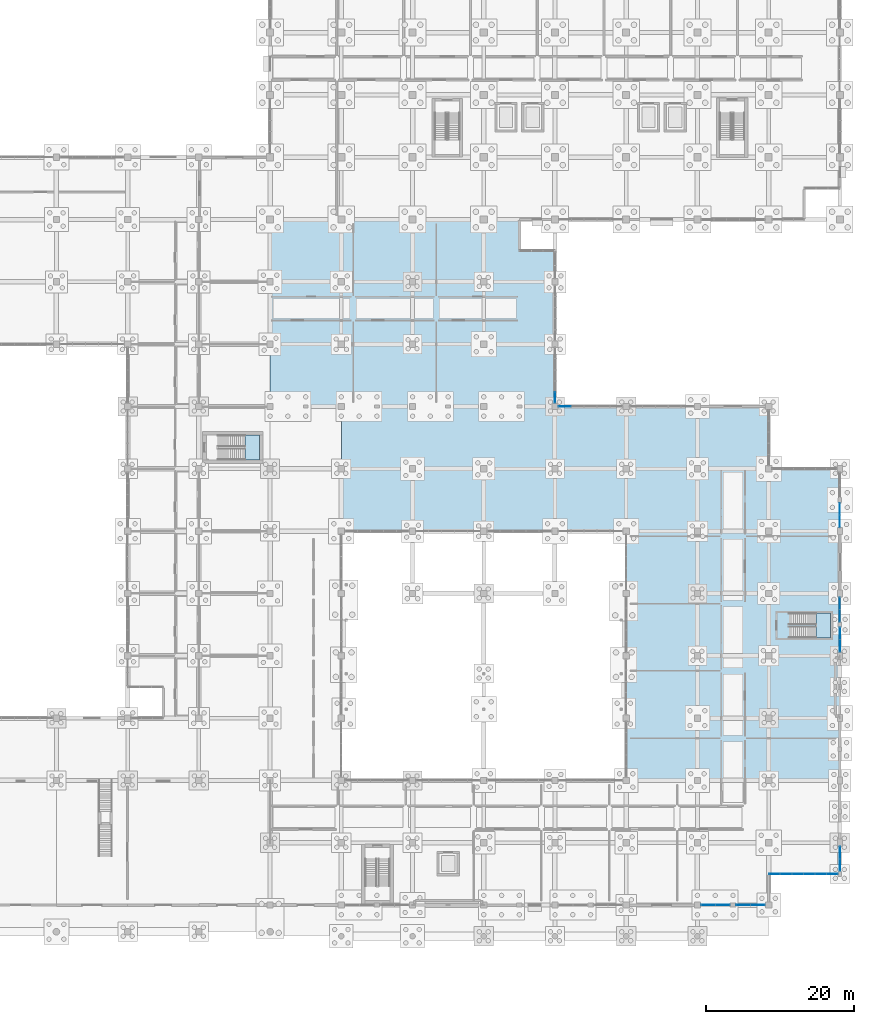
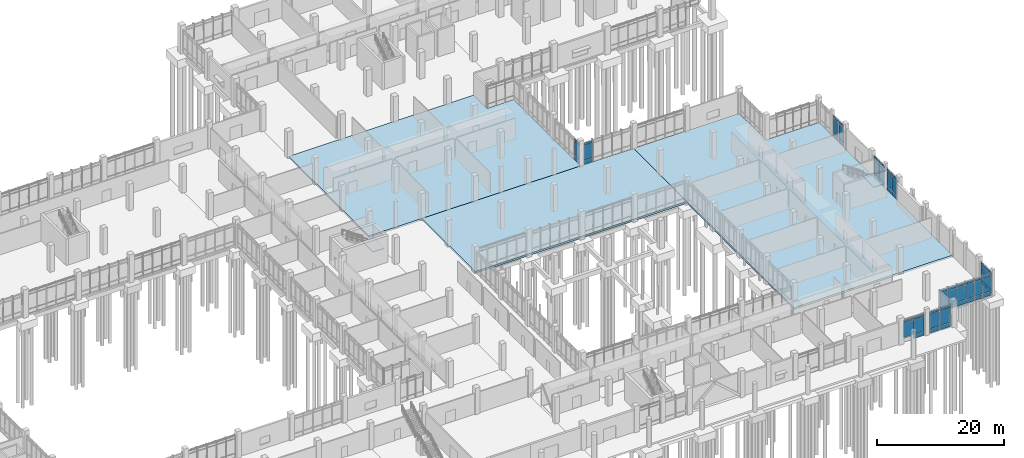
# One storey, part 86 of 136: 59 plates, 5 slabs, 11 elements without a shape of their own.
"""IFC4 building model written with IfcOpenShell, lengths in metres."""

from ifc_helpers import new_model, si_unit, direction, frame, origin, origin_2d, place, context, subcontext, project, spatial, polyline, rectangle, outline, extrude, material, layer, layer_set, type_object, element, aggregate, save


model = new_model("IFC4")

# Units and contexts
model_context = context("Model", 3, precision=1e-05, world=origin(), true_north=direction((0.0, 1.0)))
body_context = subcontext(model_context, "Body", "Model", "MODEL_VIEW")
ifc_project = project(units=[si_unit("LENGTHUNIT", "METRE"), si_unit("AREAUNIT", "SQUARE_METRE"), si_unit("VOLUMEUNIT", "CUBIC_METRE"), si_unit("PLANEANGLEUNIT", "RADIAN"), si_unit("MASSUNIT", "GRAM", prefix="KILO")], contexts=[model_context])

# Site, building, storey
site_placement = place(None, origin())
site = spatial("IfcSite", under=ifc_project, at=site_placement, CompositionType="ELEMENT")
building_placement = place(site_placement, origin())
building = spatial("IfcBuilding", under=site, at=building_placement, Name="Oolite Switchyard Hospital", CompositionType="ELEMENT")
storey_placement = place(building_placement, origin())
storey = spatial("IfcBuildingStorey", under=building, at=storey_placement, Name="L00", CompositionType="ELEMENT", Elevation=0.0)

# Curtain wall, plates
ifc_material_1 = material(Name="Thermally broken aluminum frame with laminated impact glazing", Category="aluminium")
curtain_wall_type_1 = type_object("IfcCurtainWallType", Name="CW-UNIT-84X51", PredefinedType="USERDEFINED", material=ifc_material_1)
curtain_wall_1_placement = place(storey_placement, origin())
curtain_wall_1 = element("IfcCurtainWall", 1, at=curtain_wall_1_placement, inside=storey, type_object=curtain_wall_type_1, Name="L00 Unitised Curtain Wall 8", ObjectType="UNITISED", PredefinedType="USERDEFINED")
ifc_material_2 = material(Name="Insulated fluoropolymer-coated aluminum spandrel panel", Category="aluminium")
ifc_layer_1 = layer(ifc_material_2, 0.054931640625)
ifc_layer_set_1 = layer_set([ifc_layer_1], Name="CW-PNL-SPN55")
plate_type_1 = type_object("IfcPlateType", Name="CW-PNL-SPN55", PredefinedType="CURTAIN_PANEL", material=ifc_layer_set_1)
plate_1_placement = place(storey_placement, frame((195.398681640625, 8.39990234375, 0.06005859375), z_axis=(0.0, 0.0, 1.0), x_axis=(-1.0, 0.0, 0.0)))
plate_1 = element("IfcPlate", 2, at=plate_1_placement, type_object=plate_type_1, Name="CW-06 panel 1.1", PredefinedType="CURTAIN_PANEL", context=body_context, shape_type="SweptSolid", body=[
    extrude(rectangle(XDim=1.87255859375, YDim=0.054931640625, at=origin_2d()), origin(), (0.0, 0.0, 1.0), 0.760009765625),
])
plate_2_placement = place(storey_placement, frame((195.398681640625, 8.39990234375, 0.8798828125), z_axis=(0.0, 0.0, 1.0), x_axis=(-1.0, 0.0, 0.0)))
plate_2 = element("IfcPlate", 3, at=plate_2_placement, type_object=plate_type_1, Name="CW-06 panel 1.2", PredefinedType="CURTAIN_PANEL", context=body_context, shape_type="SweptSolid", body=[
    extrude(rectangle(XDim=1.87255859375, YDim=0.054931640625, at=origin_2d()), origin(), (0.0, 0.0, 1.0), 2.780029296875),
])
plate_3_placement = place(storey_placement, frame((195.398681640625, 8.39990234375, 3.719970703125), z_axis=(0.0, 0.0, 1.0), x_axis=(-1.0, 0.0, 0.0)))
plate_3 = element("IfcPlate", 4, at=plate_3_placement, type_object=plate_type_1, Name="CW-06 panel 1.3", PredefinedType="CURTAIN_PANEL", context=body_context, shape_type="SweptSolid", body=[
    extrude(rectangle(XDim=1.87255859375, YDim=0.054931640625, at=origin_2d()), origin(), (0.0, 0.0, 1.0), 0.4599609375),
])
plate_4_placement = place(storey_placement, frame((193.451171875, 8.39990234375, 0.8798828125), z_axis=(0.0, 0.0, 1.0), x_axis=(-1.0, 0.0, 0.0)))
plate_4 = element("IfcPlate", 5, at=plate_4_placement, type_object=plate_type_1, Name="CW-06 panel 2.2", PredefinedType="CURTAIN_PANEL", context=body_context, shape_type="SweptSolid", body=[
    extrude(rectangle(XDim=1.87255859375, YDim=0.054931640625, at=origin_2d()), origin(), (0.0, 0.0, 1.0), 2.780029296875),
])
plate_5_placement = place(storey_placement, frame((193.451171875, 8.39990234375, 3.719970703125), z_axis=(0.0, 0.0, 1.0), x_axis=(-1.0, 0.0, 0.0)))
plate_5 = element("IfcPlate", 6, at=plate_5_placement, type_object=plate_type_1, Name="CW-06 panel 2.3", PredefinedType="CURTAIN_PANEL", context=body_context, shape_type="SweptSolid", body=[
    extrude(rectangle(XDim=1.87255859375, YDim=0.054931640625, at=origin_2d()), origin(), (0.0, 0.0, 1.0), 0.4599609375),
])
aggregate(curtain_wall_1, [plate_1, plate_2, plate_3, plate_4, plate_5])

curtain_wall_type_2 = type_object("IfcCurtainWallType", Name="CW-UNIT-96X51", PredefinedType="USERDEFINED", material=ifc_material_1)
curtain_wall_2_placement = place(storey_placement, origin())
curtain_wall_2 = element("IfcCurtainWall", 7, at=curtain_wall_2_placement, inside=storey, type_object=curtain_wall_type_2, Name="L00 Unitised Curtain Wall 25", ObjectType="UNITISED", PredefinedType="USERDEFINED")
plate_6_placement = place(storey_placement, frame((174.12939453125, 75.60009765625, 0.0751953125), z_axis=(0.0, 0.0, 1.0), x_axis=(1.0, 0.0, 0.0)))
plate_6 = element("IfcPlate", 8, at=plate_6_placement, type_object=plate_type_1, Name="CW-01 panel 1.1", PredefinedType="CURTAIN_PANEL", context=body_context, shape_type="SweptSolid", body=[
    extrude(rectangle(XDim=1.638916015625, YDim=0.054931640625, at=origin_2d()), origin(), (0.0, 0.0, 1.0), 0.737548828125),
])
plate_7_placement = place(storey_placement, frame((174.12939453125, 75.60009765625, 0.8876953125), z_axis=(0.0, 0.0, 1.0), x_axis=(1.0, 0.0, 0.0)))
plate_7 = element("IfcPlate", 9, at=plate_7_placement, type_object=plate_type_1, Name="CW-01 panel 1.2", PredefinedType="CURTAIN_PANEL", context=body_context, shape_type="SweptSolid", body=[
    extrude(rectangle(XDim=1.638916015625, YDim=0.054931640625, at=origin_2d()), origin(), (0.0, 0.0, 1.0), 2.764892578125),
])
plate_8_placement = place(storey_placement, frame((174.12939453125, 75.60009765625, 3.7275390625), z_axis=(0.0, 0.0, 1.0), x_axis=(1.0, 0.0, 0.0)))
plate_8 = element("IfcPlate", 10, at=plate_8_placement, type_object=plate_type_1, Name="CW-01 panel 1.3", PredefinedType="CURTAIN_PANEL", context=body_context, shape_type="SweptSolid", body=[
    extrude(rectangle(XDim=1.638916015625, YDim=0.054931640625, at=origin_2d()), origin(), (0.0, 0.0, 1.0), 0.4375),
])
aggregate(curtain_wall_2, [plate_6, plate_7, plate_8])

curtain_wall_3_placement = place(storey_placement, origin())
curtain_wall_3 = element("IfcCurtainWall", 11, at=curtain_wall_3_placement, inside=storey, type_object=curtain_wall_type_2, Name="L00 Unitised Curtain Wall 9", ObjectType="UNITISED", PredefinedType="USERDEFINED")
ifc_material_3 = material(Name="Laminated hurricane-impact insulated glazing unit", Category="glass")
ifc_layer_2 = layer(ifc_material_3, 0.028076171875)
ifc_layer_set_2 = layer_set([ifc_layer_2], Name="CW-PNL-VIS28")
plate_type_2 = type_object("IfcPlateType", Name="CW-PNL-VIS28", PredefinedType="CURTAIN_PANEL", material=ifc_layer_set_2)
plate_9_placement = place(storey_placement, frame((210.1650390625, 12.60009765625, 0.0751953125), z_axis=(0.0, 0.0, 1.0), x_axis=(-1.0, 0.0, 0.0)))
plate_9 = element("IfcPlate", 12, at=plate_9_placement, type_object=plate_type_2, Name="CW-01 panel 1.1", PredefinedType="CURTAIN_PANEL", context=body_context, shape_type="SweptSolid", body=[
    extrude(rectangle(XDim=1.469970703125, YDim=0.028076171875, at=origin_2d()), origin(), (0.0, 0.0, 1.0), 0.737548828125),
])
plate_10_placement = place(storey_placement, frame((210.1650390625, 12.60009765625, 0.8876953125), z_axis=(0.0, 0.0, 1.0), x_axis=(-1.0, 0.0, 0.0)))
plate_10 = element("IfcPlate", 13, at=plate_10_placement, type_object=plate_type_2, Name="CW-01 panel 1.2", PredefinedType="CURTAIN_PANEL", context=body_context, shape_type="SweptSolid", body=[
    extrude(rectangle(XDim=1.469970703125, YDim=0.028076171875, at=origin_2d()), origin(), (0.0, 0.0, 1.0), 2.764892578125),
])
plate_11_placement = place(storey_placement, frame((210.1650390625, 12.60009765625, 3.7275390625), z_axis=(0.0, 0.0, 1.0), x_axis=(-1.0, 0.0, 0.0)))
plate_11 = element("IfcPlate", 14, at=plate_11_placement, type_object=plate_type_2, Name="CW-01 panel 1.3", PredefinedType="CURTAIN_PANEL", context=body_context, shape_type="SweptSolid", body=[
    extrude(rectangle(XDim=1.469970703125, YDim=0.028076171875, at=origin_2d()), origin(), (0.0, 0.0, 1.0), 0.4375),
])
plate_12_placement = place(storey_placement, frame((208.6201171875, 12.60009765625, 0.0751953125), z_axis=(0.0, 0.0, 1.0), x_axis=(-1.0, 0.0, 0.0)))
plate_12 = element("IfcPlate", 15, at=plate_12_placement, type_object=plate_type_2, Name="CW-01 panel 2.1", PredefinedType="CURTAIN_PANEL", context=body_context, shape_type="SweptSolid", body=[
    extrude(rectangle(XDim=1.5, YDim=0.028076171875, at=origin_2d()), origin(), (0.0, 0.0, 1.0), 0.737548828125),
])
plate_13_placement = place(storey_placement, frame((208.6201171875, 12.60009765625, 0.8876953125), z_axis=(0.0, 0.0, 1.0), x_axis=(-1.0, 0.0, 0.0)))
plate_13 = element("IfcPlate", 16, at=plate_13_placement, type_object=plate_type_2, Name="CW-01 panel 2.2", PredefinedType="CURTAIN_PANEL", context=body_context, shape_type="SweptSolid", body=[
    extrude(rectangle(XDim=1.5, YDim=0.028076171875, at=origin_2d()), origin(), (0.0, 0.0, 1.0), 2.764892578125),
])
plate_14_placement = place(storey_placement, frame((208.6201171875, 12.60009765625, 3.7275390625), z_axis=(0.0, 0.0, 1.0), x_axis=(-1.0, 0.0, 0.0)))
plate_14 = element("IfcPlate", 17, at=plate_14_placement, type_object=plate_type_2, Name="CW-01 panel 2.3", PredefinedType="CURTAIN_PANEL", context=body_context, shape_type="SweptSolid", body=[
    extrude(rectangle(XDim=1.5, YDim=0.028076171875, at=origin_2d()), origin(), (0.0, 0.0, 1.0), 0.4375),
])
plate_15_placement = place(storey_placement, frame((207.06005859375, 12.60009765625, 0.0751953125), z_axis=(0.0, 0.0, 1.0), x_axis=(-1.0, 0.0, 0.0)))
plate_15 = element("IfcPlate", 18, at=plate_15_placement, type_object=plate_type_2, Name="CW-01 panel 3.1", PredefinedType="CURTAIN_PANEL", context=body_context, shape_type="SweptSolid", body=[
    extrude(rectangle(XDim=1.5, YDim=0.028076171875, at=origin_2d()), origin(), (0.0, 0.0, 1.0), 0.737548828125),
])
plate_16_placement = place(storey_placement, frame((207.06005859375, 12.60009765625, 0.8876953125), z_axis=(0.0, 0.0, 1.0), x_axis=(-1.0, 0.0, 0.0)))
plate_16 = element("IfcPlate", 19, at=plate_16_placement, type_object=plate_type_2, Name="CW-01 panel 3.2", PredefinedType="CURTAIN_PANEL", context=body_context, shape_type="SweptSolid", body=[
    extrude(rectangle(XDim=1.5, YDim=0.028076171875, at=origin_2d()), origin(), (0.0, 0.0, 1.0), 2.764892578125),
])
plate_17_placement = place(storey_placement, frame((207.06005859375, 12.60009765625, 3.7275390625), z_axis=(0.0, 0.0, 1.0), x_axis=(-1.0, 0.0, 0.0)))
plate_17 = element("IfcPlate", 20, at=plate_17_placement, type_object=plate_type_2, Name="CW-01 panel 3.3", PredefinedType="CURTAIN_PANEL", context=body_context, shape_type="SweptSolid", body=[
    extrude(rectangle(XDim=1.5, YDim=0.028076171875, at=origin_2d()), origin(), (0.0, 0.0, 1.0), 0.4375),
])
plate_18_placement = place(storey_placement, frame((205.5, 12.60009765625, 0.0751953125), z_axis=(0.0, 0.0, 1.0), x_axis=(-1.0, 0.0, 0.0)))
plate_18 = element("IfcPlate", 21, at=plate_18_placement, type_object=plate_type_2, Name="CW-01 panel 4.1", PredefinedType="CURTAIN_PANEL", context=body_context, shape_type="SweptSolid", body=[
    extrude(rectangle(XDim=1.5, YDim=0.028076171875, at=origin_2d()), origin(), (0.0, 0.0, 1.0), 0.737548828125),
])
plate_19_placement = place(storey_placement, frame((205.5, 12.60009765625, 0.8876953125), z_axis=(0.0, 0.0, 1.0), x_axis=(-1.0, 0.0, 0.0)))
plate_19 = element("IfcPlate", 22, at=plate_19_placement, type_object=plate_type_2, Name="CW-01 panel 4.2", PredefinedType="CURTAIN_PANEL", context=body_context, shape_type="SweptSolid", body=[
    extrude(rectangle(XDim=1.5, YDim=0.028076171875, at=origin_2d()), origin(), (0.0, 0.0, 1.0), 2.764892578125),
])
plate_20_placement = place(storey_placement, frame((205.5, 12.60009765625, 3.7275390625), z_axis=(0.0, 0.0, 1.0), x_axis=(-1.0, 0.0, 0.0)))
plate_20 = element("IfcPlate", 23, at=plate_20_placement, type_object=plate_type_2, Name="CW-01 panel 4.3", PredefinedType="CURTAIN_PANEL", context=body_context, shape_type="SweptSolid", body=[
    extrude(rectangle(XDim=1.5, YDim=0.028076171875, at=origin_2d()), origin(), (0.0, 0.0, 1.0), 0.4375),
])
plate_21_placement = place(storey_placement, frame((203.93994140625, 12.60009765625, 0.0751953125), z_axis=(0.0, 0.0, 1.0), x_axis=(-1.0, 0.0, 0.0)))
plate_21 = element("IfcPlate", 24, at=plate_21_placement, type_object=plate_type_2, Name="CW-01 panel 5.1", PredefinedType="CURTAIN_PANEL", context=body_context, shape_type="SweptSolid", body=[
    extrude(rectangle(XDim=1.5, YDim=0.028076171875, at=origin_2d()), origin(), (0.0, 0.0, 1.0), 0.737548828125),
])
plate_22_placement = place(storey_placement, frame((203.93994140625, 12.60009765625, 0.8876953125), z_axis=(0.0, 0.0, 1.0), x_axis=(-1.0, 0.0, 0.0)))
plate_22 = element("IfcPlate", 25, at=plate_22_placement, type_object=plate_type_2, Name="CW-01 panel 5.2", PredefinedType="CURTAIN_PANEL", context=body_context, shape_type="SweptSolid", body=[
    extrude(rectangle(XDim=1.5, YDim=0.028076171875, at=origin_2d()), origin(), (0.0, 0.0, 1.0), 2.764892578125),
])
plate_23_placement = place(storey_placement, frame((203.93994140625, 12.60009765625, 3.7275390625), z_axis=(0.0, 0.0, 1.0), x_axis=(-1.0, 0.0, 0.0)))
plate_23 = element("IfcPlate", 26, at=plate_23_placement, type_object=plate_type_2, Name="CW-01 panel 5.3", PredefinedType="CURTAIN_PANEL", context=body_context, shape_type="SweptSolid", body=[
    extrude(rectangle(XDim=1.5, YDim=0.028076171875, at=origin_2d()), origin(), (0.0, 0.0, 1.0), 0.4375),
])
plate_24_placement = place(storey_placement, frame((202.39501953125, 12.60009765625, 0.0751953125), z_axis=(0.0, 0.0, 1.0), x_axis=(-1.0, 0.0, 0.0)))
plate_24 = element("IfcPlate", 27, at=plate_24_placement, type_object=plate_type_2, Name="CW-01 panel 6.1", PredefinedType="CURTAIN_PANEL", context=body_context, shape_type="SweptSolid", body=[
    extrude(rectangle(XDim=1.469970703125, YDim=0.028076171875, at=origin_2d()), origin(), (0.0, 0.0, 1.0), 0.737548828125),
])
plate_25_placement = place(storey_placement, frame((202.39501953125, 12.60009765625, 0.8876953125), z_axis=(0.0, 0.0, 1.0), x_axis=(-1.0, 0.0, 0.0)))
plate_25 = element("IfcPlate", 28, at=plate_25_placement, type_object=plate_type_2, Name="CW-01 panel 6.2", PredefinedType="CURTAIN_PANEL", context=body_context, shape_type="SweptSolid", body=[
    extrude(rectangle(XDim=1.469970703125, YDim=0.028076171875, at=origin_2d()), origin(), (0.0, 0.0, 1.0), 2.764892578125),
])
plate_26_placement = place(storey_placement, frame((202.39501953125, 12.60009765625, 3.7275390625), z_axis=(0.0, 0.0, 1.0), x_axis=(-1.0, 0.0, 0.0)))
plate_26 = element("IfcPlate", 29, at=plate_26_placement, type_object=plate_type_2, Name="CW-01 panel 6.3", PredefinedType="CURTAIN_PANEL", context=body_context, shape_type="SweptSolid", body=[
    extrude(rectangle(XDim=1.469970703125, YDim=0.028076171875, at=origin_2d()), origin(), (0.0, 0.0, 1.0), 0.4375),
])
aggregate(curtain_wall_3, [plate_9, plate_10, plate_11, plate_12, plate_13, plate_14, plate_15, plate_16, plate_17, plate_18, plate_19, plate_20, plate_21, plate_22, plate_23, plate_24, plate_25, plate_26])

curtain_wall_4_placement = place(storey_placement, origin())
curtain_wall_4 = element("IfcCurtainWall", 30, at=curtain_wall_4_placement, inside=storey, type_object=curtain_wall_type_1, Name="L00 Unitised Curtain Wall 91", ObjectType="UNITISED", PredefinedType="USERDEFINED")
ifc_layer_3 = layer(ifc_material_3, 0.031982421875)
ifc_layer_set_3 = layer_set([ifc_layer_3], Name="CW-PNL-VIS32")
plate_type_3 = type_object("IfcPlateType", Name="CW-PNL-VIS32", PredefinedType="CURTAIN_PANEL", material=ifc_layer_set_3)
plate_27_placement = place(storey_placement, frame((211.199951171875, 61.800048828125, 0.0751953125), z_axis=(0.0, 0.0, 1.0), x_axis=(0.0, -1.0, 0.0)))
plate_27 = element("IfcPlate", 31, at=plate_27_placement, type_object=plate_type_3, Name="CW-06 panel 1.1", PredefinedType="CURTAIN_PANEL", context=body_context, shape_type="SweptSolid", body=[
    extrude(rectangle(XDim=1.580078125, YDim=0.031982421875, at=origin_2d()), origin(), (0.0, 0.0, 1.0), 0.737548828125),
])
plate_28_placement = place(storey_placement, frame((211.199951171875, 61.800048828125, 0.8876953125), z_axis=(0.0, 0.0, 1.0), x_axis=(0.0, -1.0, 0.0)))
plate_28 = element("IfcPlate", 32, at=plate_28_placement, type_object=plate_type_3, Name="CW-06 panel 1.2", PredefinedType="CURTAIN_PANEL", context=body_context, shape_type="SweptSolid", body=[
    extrude(rectangle(XDim=1.580078125, YDim=0.031982421875, at=origin_2d()), origin(), (0.0, 0.0, 1.0), 2.764892578125),
])
plate_29_placement = place(storey_placement, frame((211.199951171875, 61.800048828125, 3.7275390625), z_axis=(0.0, 0.0, 1.0), x_axis=(0.0, -1.0, 0.0)))
plate_29 = element("IfcPlate", 33, at=plate_29_placement, type_object=plate_type_3, Name="CW-06 panel 1.3", PredefinedType="CURTAIN_PANEL", context=body_context, shape_type="SweptSolid", body=[
    extrude(rectangle(XDim=1.580078125, YDim=0.031982421875, at=origin_2d()), origin(), (0.0, 0.0, 1.0), 0.4375),
])
plate_30_placement = place(storey_placement, frame((211.199951171875, 60.14990234375, 0.0751953125), z_axis=(0.0, 0.0, 1.0), x_axis=(0.0, -1.0, 0.0)))
plate_30 = element("IfcPlate", 34, at=plate_30_placement, type_object=plate_type_3, Name="CW-06 panel 2.1", PredefinedType="CURTAIN_PANEL", context=body_context, shape_type="SweptSolid", body=[
    extrude(rectangle(XDim=1.580078125, YDim=0.031982421875, at=origin_2d()), origin(), (0.0, 0.0, 1.0), 0.737548828125),
])
plate_31_placement = place(storey_placement, frame((211.199951171875, 60.14990234375, 0.8876953125), z_axis=(0.0, 0.0, 1.0), x_axis=(0.0, -1.0, 0.0)))
plate_31 = element("IfcPlate", 35, at=plate_31_placement, type_object=plate_type_3, Name="CW-06 panel 2.2", PredefinedType="CURTAIN_PANEL", context=body_context, shape_type="SweptSolid", body=[
    extrude(rectangle(XDim=1.580078125, YDim=0.031982421875, at=origin_2d()), origin(), (0.0, 0.0, 1.0), 2.764892578125),
])
plate_32_placement = place(storey_placement, frame((211.199951171875, 60.14990234375, 3.7275390625), z_axis=(0.0, 0.0, 1.0), x_axis=(0.0, -1.0, 0.0)))
plate_32 = element("IfcPlate", 36, at=plate_32_placement, type_object=plate_type_3, Name="CW-06 panel 2.3", PredefinedType="CURTAIN_PANEL", context=body_context, shape_type="SweptSolid", body=[
    extrude(rectangle(XDim=1.580078125, YDim=0.031982421875, at=origin_2d()), origin(), (0.0, 0.0, 1.0), 0.4375),
])
aggregate(curtain_wall_4, [plate_27, plate_28, plate_29, plate_30, plate_31, plate_32])

curtain_wall_5_placement = place(storey_placement, origin())
curtain_wall_5 = element("IfcCurtainWall", 37, at=curtain_wall_5_placement, inside=storey, type_object=curtain_wall_type_1, Name="L00 Unitised Curtain Wall 88", ObjectType="UNITISED", PredefinedType="USERDEFINED")
ifc_layer_4 = layer(ifc_material_3, 0.035888671875)
ifc_layer_set_4 = layer_set([ifc_layer_4], Name="CW-PNL-VIS36")
plate_type_4 = type_object("IfcPlateType", Name="CW-PNL-VIS36", PredefinedType="CURTAIN_PANEL", material=ifc_layer_set_4)
plate_33_placement = place(storey_placement, frame((211.199951171875, 49.050048828125, 0.06005859375), z_axis=(0.0, 0.0, 1.0), x_axis=(0.0, -1.0, 0.0)))
plate_33 = element("IfcPlate", 38, at=plate_33_placement, type_object=plate_type_4, Name="CW-06 panel 1.1", PredefinedType="CURTAIN_PANEL", context=body_context, shape_type="SweptSolid", body=[
    extrude(rectangle(XDim=1.580078125, YDim=0.035888671875, at=origin_2d()), origin(), (0.0, 0.0, 1.0), 0.760009765625),
])
plate_34_placement = place(storey_placement, frame((211.199951171875, 49.050048828125, 0.8798828125), z_axis=(0.0, 0.0, 1.0), x_axis=(0.0, -1.0, 0.0)))
plate_34 = element("IfcPlate", 39, at=plate_34_placement, type_object=plate_type_4, Name="CW-06 panel 1.2", PredefinedType="CURTAIN_PANEL", context=body_context, shape_type="SweptSolid", body=[
    extrude(rectangle(XDim=1.580078125, YDim=0.035888671875, at=origin_2d()), origin(), (0.0, 0.0, 1.0), 2.780029296875),
])
plate_35_placement = place(storey_placement, frame((211.199951171875, 49.050048828125, 3.719970703125), z_axis=(0.0, 0.0, 1.0), x_axis=(0.0, -1.0, 0.0)))
plate_35 = element("IfcPlate", 40, at=plate_35_placement, type_object=plate_type_4, Name="CW-06 panel 1.3", PredefinedType="CURTAIN_PANEL", context=body_context, shape_type="SweptSolid", body=[
    extrude(rectangle(XDim=1.580078125, YDim=0.035888671875, at=origin_2d()), origin(), (0.0, 0.0, 1.0), 0.4599609375),
])
plate_36_placement = place(storey_placement, frame((211.199951171875, 47.39990234375, 0.06005859375), z_axis=(0.0, 0.0, 1.0), x_axis=(0.0, -1.0, 0.0)))
plate_36 = element("IfcPlate", 41, at=plate_36_placement, type_object=plate_type_4, Name="CW-06 panel 2.1", PredefinedType="CURTAIN_PANEL", context=body_context, shape_type="SweptSolid", body=[
    extrude(rectangle(XDim=1.580078125, YDim=0.035888671875, at=origin_2d()), origin(), (0.0, 0.0, 1.0), 0.760009765625),
])
plate_37_placement = place(storey_placement, frame((211.199951171875, 47.39990234375, 0.8798828125), z_axis=(0.0, 0.0, 1.0), x_axis=(0.0, -1.0, 0.0)))
plate_37 = element("IfcPlate", 42, at=plate_37_placement, type_object=plate_type_4, Name="CW-06 panel 2.2", PredefinedType="CURTAIN_PANEL", context=body_context, shape_type="SweptSolid", body=[
    extrude(rectangle(XDim=1.580078125, YDim=0.035888671875, at=origin_2d()), origin(), (0.0, 0.0, 1.0), 2.780029296875),
])
plate_38_placement = place(storey_placement, frame((211.199951171875, 47.39990234375, 3.719970703125), z_axis=(0.0, 0.0, 1.0), x_axis=(0.0, -1.0, 0.0)))
plate_38 = element("IfcPlate", 43, at=plate_38_placement, type_object=plate_type_4, Name="CW-06 panel 2.3", PredefinedType="CURTAIN_PANEL", context=body_context, shape_type="SweptSolid", body=[
    extrude(rectangle(XDim=1.580078125, YDim=0.035888671875, at=origin_2d()), origin(), (0.0, 0.0, 1.0), 0.4599609375),
])
aggregate(curtain_wall_5, [plate_33, plate_34, plate_35, plate_36, plate_37, plate_38])

curtain_wall_6_placement = place(storey_placement, origin())
curtain_wall_6 = element("IfcCurtainWall", 44, at=curtain_wall_6_placement, inside=storey, type_object=curtain_wall_type_1, Name="L00 Unitised Curtain Wall 7", ObjectType="UNITISED", PredefinedType="USERDEFINED")
ifc_layer_5 = layer(ifc_material_3, 0.0419921875)
ifc_layer_set_5 = layer_set([ifc_layer_5], Name="CW-PNL-VIS42")
plate_type_5 = type_object("IfcPlateType", Name="CW-PNL-VIS42", PredefinedType="CURTAIN_PANEL", material=ifc_layer_set_5)
plate_39_placement = place(storey_placement, frame((200.14990234375, 8.39990234375, 0.0751953125), z_axis=(0.0, 0.0, 1.0), x_axis=(-1.0, 0.0, 0.0)))
plate_39 = element("IfcPlate", 45, at=plate_39_placement, type_object=plate_type_5, Name="CW-06 panel 1.1", PredefinedType="CURTAIN_PANEL", context=body_context, shape_type="SweptSolid", body=[
    extrude(rectangle(XDim=1.8798828125, YDim=0.0419921875, at=origin_2d()), origin(), (0.0, 0.0, 1.0), 0.737548828125),
])
plate_40_placement = place(storey_placement, frame((200.14990234375, 8.39990234375, 0.8876953125), z_axis=(0.0, 0.0, 1.0), x_axis=(-1.0, 0.0, 0.0)))
plate_40 = element("IfcPlate", 46, at=plate_40_placement, type_object=plate_type_5, Name="CW-06 panel 1.2", PredefinedType="CURTAIN_PANEL", context=body_context, shape_type="SweptSolid", body=[
    extrude(rectangle(XDim=1.8798828125, YDim=0.0419921875, at=origin_2d()), origin(), (0.0, 0.0, 1.0), 2.764892578125),
])
plate_41_placement = place(storey_placement, frame((200.14990234375, 8.39990234375, 3.7275390625), z_axis=(0.0, 0.0, 1.0), x_axis=(-1.0, 0.0, 0.0)))
plate_41 = element("IfcPlate", 47, at=plate_41_placement, type_object=plate_type_5, Name="CW-06 panel 1.3", PredefinedType="CURTAIN_PANEL", context=body_context, shape_type="SweptSolid", body=[
    extrude(rectangle(XDim=1.8798828125, YDim=0.0419921875, at=origin_2d()), origin(), (0.0, 0.0, 1.0), 0.4375),
])
plate_42_placement = place(storey_placement, frame((198.199951171875, 8.39990234375, 0.0751953125), z_axis=(0.0, 0.0, 1.0), x_axis=(-1.0, 0.0, 0.0)))
plate_42 = element("IfcPlate", 48, at=plate_42_placement, type_object=plate_type_5, Name="CW-06 panel 2.1", PredefinedType="CURTAIN_PANEL", context=body_context, shape_type="SweptSolid", body=[
    extrude(rectangle(XDim=1.8798828125, YDim=0.0419921875, at=origin_2d()), origin(), (0.0, 0.0, 1.0), 0.737548828125),
])
plate_43_placement = place(storey_placement, frame((198.199951171875, 8.39990234375, 0.8876953125), z_axis=(0.0, 0.0, 1.0), x_axis=(-1.0, 0.0, 0.0)))
plate_43 = element("IfcPlate", 49, at=plate_43_placement, type_object=plate_type_5, Name="CW-06 panel 2.2", PredefinedType="CURTAIN_PANEL", context=body_context, shape_type="SweptSolid", body=[
    extrude(rectangle(XDim=1.8798828125, YDim=0.0419921875, at=origin_2d()), origin(), (0.0, 0.0, 1.0), 2.764892578125),
])
plate_44_placement = place(storey_placement, frame((198.199951171875, 8.39990234375, 3.7275390625), z_axis=(0.0, 0.0, 1.0), x_axis=(-1.0, 0.0, 0.0)))
plate_44 = element("IfcPlate", 50, at=plate_44_placement, type_object=plate_type_5, Name="CW-06 panel 2.3", PredefinedType="CURTAIN_PANEL", context=body_context, shape_type="SweptSolid", body=[
    extrude(rectangle(XDim=1.8798828125, YDim=0.0419921875, at=origin_2d()), origin(), (0.0, 0.0, 1.0), 0.4375),
])
aggregate(curtain_wall_6, [plate_39, plate_40, plate_41, plate_42, plate_43, plate_44])

curtain_wall_7_placement = place(storey_placement, origin())
curtain_wall_7 = element("IfcCurtainWall", 51, at=curtain_wall_7_placement, inside=storey, type_object=curtain_wall_type_1, Name="L00 Unitised Curtain Wall 79", ObjectType="UNITISED", PredefinedType="USERDEFINED")
plate_45_placement = place(storey_placement, frame((172.800048828125, 76.8095703125, 0.0751953125), z_axis=(0.0, 0.0, 1.0), x_axis=(0.0, -1.0, 0.0)))
plate_45 = element("IfcPlate", 52, at=plate_45_placement, type_object=plate_type_5, Name="CW-06 panel 5.1", PredefinedType="CURTAIN_PANEL", context=body_context, shape_type="SweptSolid", body=[
    extrude(rectangle(XDim=1.39892578125, YDim=0.0419921875, at=origin_2d()), origin(), (0.0, 0.0, 1.0), 0.737548828125),
])
plate_46_placement = place(storey_placement, frame((172.800048828125, 76.8095703125, 0.8876953125), z_axis=(0.0, 0.0, 1.0), x_axis=(0.0, -1.0, 0.0)))
plate_46 = element("IfcPlate", 53, at=plate_46_placement, type_object=plate_type_5, Name="CW-06 panel 5.2", PredefinedType="CURTAIN_PANEL", context=body_context, shape_type="SweptSolid", body=[
    extrude(rectangle(XDim=1.39892578125, YDim=0.0419921875, at=origin_2d()), origin(), (0.0, 0.0, 1.0), 2.764892578125),
])
plate_47_placement = place(storey_placement, frame((172.800048828125, 76.8095703125, 3.7275390625), z_axis=(0.0, 0.0, 1.0), x_axis=(0.0, -1.0, 0.0)))
plate_47 = element("IfcPlate", 54, at=plate_47_placement, type_object=plate_type_5, Name="CW-06 panel 5.3", PredefinedType="CURTAIN_PANEL", context=body_context, shape_type="SweptSolid", body=[
    extrude(rectangle(XDim=1.39892578125, YDim=0.0419921875, at=origin_2d()), origin(), (0.0, 0.0, 1.0), 0.4375),
])
aggregate(curtain_wall_7, [plate_45, plate_46, plate_47])

curtain_wall_8_placement = place(storey_placement, origin())
curtain_wall_8 = element("IfcCurtainWall", 55, at=curtain_wall_8_placement, inside=storey, type_object=curtain_wall_type_1, Name="L00 Unitised Curtain Wall 87", ObjectType="UNITISED", PredefinedType="USERDEFINED")
plate_48_placement = place(storey_placement, frame((211.199951171875, 15.452392578125, 0.0751953125), z_axis=(0.0, 0.0, 1.0), x_axis=(0.0, -1.0, 0.0)))
plate_48 = element("IfcPlate", 56, at=plate_48_placement, type_object=plate_type_5, Name="CW-06 panel 1.1", PredefinedType="CURTAIN_PANEL", context=body_context, shape_type="SweptSolid", body=[
    extrude(rectangle(XDim=1.594970703125, YDim=0.0419921875, at=origin_2d()), origin(), (0.0, 0.0, 1.0), 0.737548828125),
])
plate_49_placement = place(storey_placement, frame((211.199951171875, 15.452392578125, 0.8876953125), z_axis=(0.0, 0.0, 1.0), x_axis=(0.0, -1.0, 0.0)))
plate_49 = element("IfcPlate", 57, at=plate_49_placement, type_object=plate_type_5, Name="CW-06 panel 1.2", PredefinedType="CURTAIN_PANEL", context=body_context, shape_type="SweptSolid", body=[
    extrude(rectangle(XDim=1.594970703125, YDim=0.0419921875, at=origin_2d()), origin(), (0.0, 0.0, 1.0), 2.764892578125),
])
plate_50_placement = place(storey_placement, frame((211.199951171875, 15.452392578125, 3.7275390625), z_axis=(0.0, 0.0, 1.0), x_axis=(0.0, -1.0, 0.0)))
plate_50 = element("IfcPlate", 58, at=plate_50_placement, type_object=plate_type_5, Name="CW-06 panel 1.3", PredefinedType="CURTAIN_PANEL", context=body_context, shape_type="SweptSolid", body=[
    extrude(rectangle(XDim=1.594970703125, YDim=0.0419921875, at=origin_2d()), origin(), (0.0, 0.0, 1.0), 0.4375),
])
plate_51_placement = place(storey_placement, frame((211.199951171875, 13.797607421875, 0.0751953125), z_axis=(0.0, 0.0, 1.0), x_axis=(0.0, -1.0, 0.0)))
plate_51 = element("IfcPlate", 59, at=plate_51_placement, type_object=plate_type_5, Name="CW-06 panel 2.1", PredefinedType="CURTAIN_PANEL", context=body_context, shape_type="SweptSolid", body=[
    extrude(rectangle(XDim=1.594970703125, YDim=0.0419921875, at=origin_2d()), origin(), (0.0, 0.0, 1.0), 0.737548828125),
])
plate_52_placement = place(storey_placement, frame((211.199951171875, 13.797607421875, 0.8876953125), z_axis=(0.0, 0.0, 1.0), x_axis=(0.0, -1.0, 0.0)))
plate_52 = element("IfcPlate", 60, at=plate_52_placement, type_object=plate_type_5, Name="CW-06 panel 2.2", PredefinedType="CURTAIN_PANEL", context=body_context, shape_type="SweptSolid", body=[
    extrude(rectangle(XDim=1.594970703125, YDim=0.0419921875, at=origin_2d()), origin(), (0.0, 0.0, 1.0), 2.764892578125),
])
plate_53_placement = place(storey_placement, frame((211.199951171875, 13.797607421875, 3.7275390625), z_axis=(0.0, 0.0, 1.0), x_axis=(0.0, -1.0, 0.0)))
plate_53 = element("IfcPlate", 61, at=plate_53_placement, type_object=plate_type_5, Name="CW-06 panel 2.3", PredefinedType="CURTAIN_PANEL", context=body_context, shape_type="SweptSolid", body=[
    extrude(rectangle(XDim=1.594970703125, YDim=0.0419921875, at=origin_2d()), origin(), (0.0, 0.0, 1.0), 0.4375),
])
aggregate(curtain_wall_8, [plate_48, plate_49, plate_50, plate_51, plate_52, plate_53])

curtain_wall_9_placement = place(storey_placement, origin())
curtain_wall_9 = element("IfcCurtainWall", 62, at=curtain_wall_9_placement, inside=storey, type_object=curtain_wall_type_1, Name="L00 Unitised Curtain Wall 89", ObjectType="UNITISED", PredefinedType="USERDEFINED")
plate_54_placement = place(storey_placement, frame((211.199951171875, 44.998779296875, 0.0751953125), z_axis=(0.0, 0.0, 1.0), x_axis=(0.0, -1.0, 0.0)))
plate_54 = element("IfcPlate", 63, at=plate_54_placement, type_object=plate_type_5, Name="CW-06 panel 1.1", PredefinedType="CURTAIN_PANEL", context=body_context, shape_type="SweptSolid", body=[
    extrude(rectangle(XDim=1.572509765625, YDim=0.0419921875, at=origin_2d()), origin(), (0.0, 0.0, 1.0), 0.737548828125),
])
plate_55_placement = place(storey_placement, frame((211.199951171875, 44.998779296875, 0.8876953125), z_axis=(0.0, 0.0, 1.0), x_axis=(0.0, -1.0, 0.0)))
plate_55 = element("IfcPlate", 64, at=plate_55_placement, type_object=plate_type_5, Name="CW-06 panel 1.2", PredefinedType="CURTAIN_PANEL", context=body_context, shape_type="SweptSolid", body=[
    extrude(rectangle(XDim=1.572509765625, YDim=0.0419921875, at=origin_2d()), origin(), (0.0, 0.0, 1.0), 2.764892578125),
])
plate_56_placement = place(storey_placement, frame((211.199951171875, 44.998779296875, 3.7275390625), z_axis=(0.0, 0.0, 1.0), x_axis=(0.0, -1.0, 0.0)))
plate_56 = element("IfcPlate", 65, at=plate_56_placement, type_object=plate_type_5, Name="CW-06 panel 1.3", PredefinedType="CURTAIN_PANEL", context=body_context, shape_type="SweptSolid", body=[
    extrude(rectangle(XDim=1.572509765625, YDim=0.0419921875, at=origin_2d()), origin(), (0.0, 0.0, 1.0), 0.4375),
])
plate_57_placement = place(storey_placement, frame((211.199951171875, 43.351318359375, 0.0751953125), z_axis=(0.0, 0.0, 1.0), x_axis=(0.0, -1.0, 0.0)))
plate_57 = element("IfcPlate", 66, at=plate_57_placement, type_object=plate_type_5, Name="CW-06 panel 2.1", PredefinedType="CURTAIN_PANEL", context=body_context, shape_type="SweptSolid", body=[
    extrude(rectangle(XDim=1.572509765625, YDim=0.0419921875, at=origin_2d()), origin(), (0.0, 0.0, 1.0), 0.737548828125),
])
plate_58_placement = place(storey_placement, frame((211.199951171875, 43.351318359375, 0.8876953125), z_axis=(0.0, 0.0, 1.0), x_axis=(0.0, -1.0, 0.0)))
plate_58 = element("IfcPlate", 67, at=plate_58_placement, type_object=plate_type_5, Name="CW-06 panel 2.2", PredefinedType="CURTAIN_PANEL", context=body_context, shape_type="SweptSolid", body=[
    extrude(rectangle(XDim=1.572509765625, YDim=0.0419921875, at=origin_2d()), origin(), (0.0, 0.0, 1.0), 2.764892578125),
])
plate_59_placement = place(storey_placement, frame((211.199951171875, 43.351318359375, 3.7275390625), z_axis=(0.0, 0.0, 1.0), x_axis=(0.0, -1.0, 0.0)))
plate_59 = element("IfcPlate", 68, at=plate_59_placement, type_object=plate_type_5, Name="CW-06 panel 2.3", PredefinedType="CURTAIN_PANEL", context=body_context, shape_type="SweptSolid", body=[
    extrude(rectangle(XDim=1.572509765625, YDim=0.0419921875, at=origin_2d()), origin(), (0.0, 0.0, 1.0), 0.4375),
])
aggregate(curtain_wall_9, [plate_54, plate_55, plate_56, plate_57, plate_58, plate_59])

# Slabs
ifc_material_4 = material(Name="Concrete C40/50", Category="concrete")
ifc_layer_6 = layer(ifc_material_4, 0.35009765625)
ifc_layer_set_6 = layer_set([ifc_layer_6], Name="SLB-BASE-350")
slab_type_1 = type_object("IfcSlabType", Name="SLB-BASE-350", PredefinedType="BASESLAB", material=ifc_layer_set_6)
slab_1_placement = place(storey_placement, frame((0.0, 0.0, -0.35009765625)))
element("IfcSlab", 69, at=slab_1_placement, inside=storey, type_object=slab_type_1, Name="L00 V6 Slab V6E", PredefinedType="BASESLAB", context=body_context, shape_type="SweptSolid", body=[
    extrude(outline(polyline([(182.39990234375, 25.199951171875), (211.199951171875, 25.199951171875), (211.199951171875, 67.199951171875), (201.60009765625, 67.199951171875), (201.60009765625, 75.60009765625), (182.39990234375, 75.60009765625), (182.39990234375, 25.199951171875)])), origin(), (0.0, 0.0, 1.0), 0.35009765625),
])
slab_2_placement = place(storey_placement, frame((0.0, 0.0, -0.35009765625)))
element("IfcSlab", 70, at=slab_2_placement, inside=storey, type_object=slab_type_1, Name="L00 V6 Slab V6N", PredefinedType="BASESLAB", context=body_context, shape_type="SweptSolid", body=[
    extrude(outline(polyline([(144.0, 58.800048828125), (182.39990234375, 58.800048828125), (182.39990234375, 75.60009765625), (144.0, 75.60009765625), (144.0, 58.800048828125)])), origin(), (0.0, 0.0, 1.0), 0.35009765625),
])
slab_3_placement = place(storey_placement, frame((0.0, 0.0, -0.35009765625)))
element("IfcSlab", 71, at=slab_3_placement, inside=storey, type_object=slab_type_1, Name="L00 V5E Slab V5EL", PredefinedType="BASESLAB", context=body_context, shape_type="SweptSolid", body=[
    extrude(outline(polyline([(134.39990234375, 75.60009765625), (172.800048828125, 75.60009765625), (172.800048828125, 96.60009765625), (168.0, 96.60009765625), (168.0, 100.800048828125), (134.39990234375, 100.800048828125), (134.39990234375, 75.60009765625)])), origin(), (0.0, 0.0, 1.0), 0.35009765625),
])

# Stair, slab
stair_type = type_object("IfcStairType", Name="STR-DL-156-R28", PredefinedType="HALF_TURN_STAIR", material=ifc_material_4)
stair_1_placement = place(storey_placement, origin())
stair_1 = element("IfcStair", 72, at=stair_1_placement, inside=storey, type_object=stair_type, Name="L00 Exit Stair ST-06", PredefinedType="HALF_TURN_STAIR")
ifc_layer_7 = layer(ifc_material_4, 0.199951171875)
ifc_layer_set_7 = layer_set([ifc_layer_7], Name="SLB-LND-200")
slab_type_2 = type_object("IfcSlabType", Name="SLB-LND-200", PredefinedType="LANDING", material=ifc_layer_set_7)
slab_4_placement = place(storey_placement, frame((0.0, 0.0, 2.35009765625)))
slab_4 = element("IfcSlab", 73, at=slab_4_placement, type_object=slab_type_2, Name="ST-06 landing 1", PredefinedType="LANDING", context=body_context, shape_type="SweptSolid", body=[
    extrude(outline(polyline([(208.0, 44.39990234375), (209.949951171875, 44.39990234375), (209.949951171875, 47.760009765625), (208.0, 47.760009765625), (208.0, 44.39990234375)])), origin(), (0.0, 0.0, 1.0), 0.199951171875),
])
aggregate(stair_1, [slab_4])

stair_2_placement = place(storey_placement, origin())
stair_2 = element("IfcStair", 74, at=stair_2_placement, inside=storey, type_object=stair_type, Name="L00 Exit Stair ST-10", PredefinedType="HALF_TURN_STAIR")
slab_5_placement = place(storey_placement, frame((0.0, 0.0, 2.35009765625)))
slab_5 = element("IfcSlab", 75, at=slab_5_placement, type_object=slab_type_2, Name="ST-10 landing 1", PredefinedType="LANDING", context=body_context, shape_type="SweptSolid", body=[
    extrude(outline(polyline([(131.0, 68.39990234375), (132.949951171875, 68.39990234375), (132.949951171875, 71.760009765625), (131.0, 71.760009765625), (131.0, 68.39990234375)])), origin(), (0.0, 0.0, 1.0), 0.199951171875),
])
aggregate(stair_2, [slab_5])

save(model, "model.ifc")
